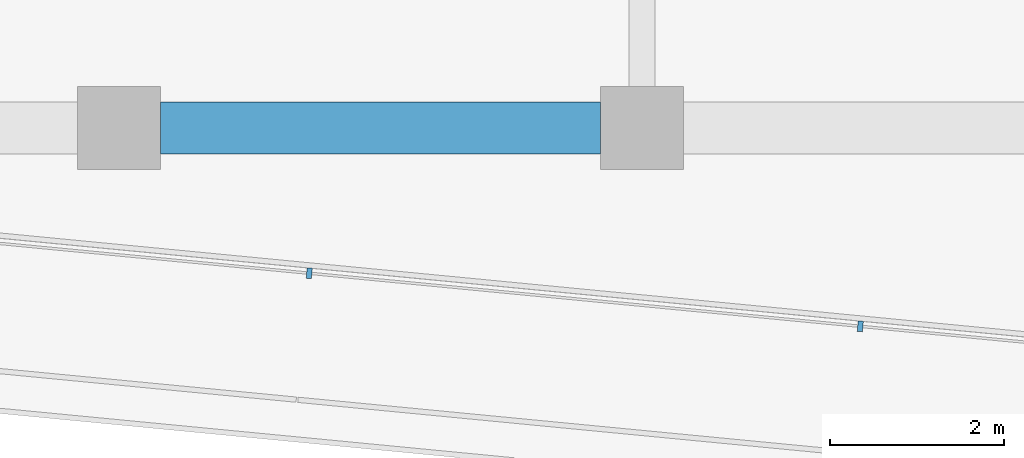
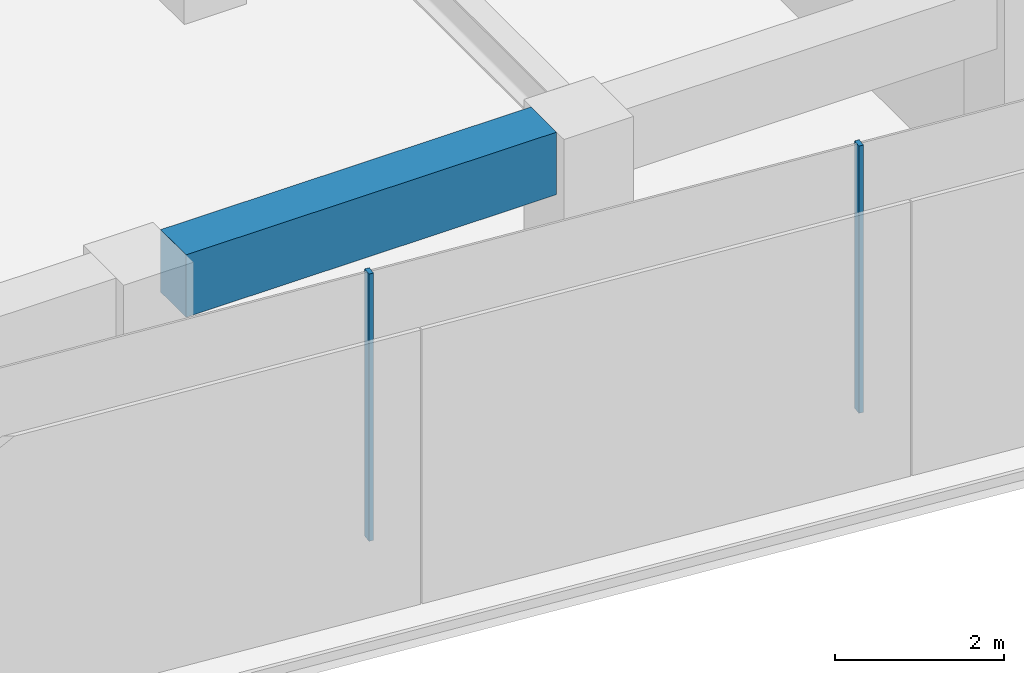
# One storey, part 6 of 31: 2 members, 1 beam, 1 element without a shape of its own.
"""IFC4 building model written with IfcOpenShell, lengths in metres."""

from ifc_helpers import new_model, si_unit, direction, frame, origin, origin_2d, place, context, subcontext, project, spatial, rectangle, extrude, material, layer, layer_set, material_profile, profile_set, type_object, element, aggregate, save


model = new_model("IFC4")

# Units and contexts
model_context = context("Model", 3, precision=1e-05, world=origin(), true_north=direction((0.0, 1.0)))
body_context = subcontext(model_context, "Body", "Model", "MODEL_VIEW")
ifc_project = project(units=[si_unit("LENGTHUNIT", "METRE"), si_unit("AREAUNIT", "SQUARE_METRE"), si_unit("VOLUMEUNIT", "CUBIC_METRE"), si_unit("PLANEANGLEUNIT", "RADIAN"), si_unit("MASSUNIT", "GRAM", prefix="KILO")], contexts=[model_context])

# Site, building, storey
site_placement = place(None, origin())
site = spatial("IfcSite", under=ifc_project, at=site_placement, CompositionType="ELEMENT")
building_placement = place(site_placement, origin())
building = spatial("IfcBuilding", under=site, at=building_placement, Name="Welwitschia Terrace Campus", CompositionType="ELEMENT")
storey_placement = place(building_placement, frame((0.0, 0.0, 29.0)))
storey = spatial("IfcBuildingStorey", under=building, at=storey_placement, Name="L06", CompositionType="ELEMENT", Elevation=29.0)

# Curtain wall, members
ifc_material_1 = material(Name="Bronze anodised aluminium", Category="aluminium")
ifc_layer = layer(ifc_material_1, 0.1201171875)
ifc_layer_set = layer_set([ifc_layer], Name="Bronze anodised aluminium")
curtain_wall_type = type_object("IfcCurtainWallType", Name="Curtain wall CW2 tower 6000", PredefinedType="NOTDEFINED", material=ifc_layer_set)
curtain_wall_placement = place(storey_placement, origin())
curtain_wall = element("IfcCurtainWall", 1, at=curtain_wall_placement, inside=storey, type_object=curtain_wall_type, Name="CW L06.4.0", PredefinedType="NOTDEFINED")
ifc_material_2 = material(Name="Bronze anodised aluminium", Category="aluminium")
ifc_material_profile_1 = material_profile(ifc_material_2, rectangle(XDim=0.1201171875, YDim=0.06005859375, at=origin_2d()))
ifc_profile_set_1 = profile_set([ifc_material_profile_1], Name="Bronze anodised aluminium")
member_type = type_object("IfcMemberType", Name="Mullion 60x120", PredefinedType="MULLION", material=ifc_profile_set_1)
member_1_placement = place(storey_placement, frame((32.181884765625, -5.666748046875, 0.0), z_axis=(0.0, 0.0, 1.0), x_axis=(0.09584575252, 0.995396198367, 0.0)))
member_1 = element("IfcMember", 2, at=member_1_placement, type_object=member_type, Name="Mullion L06.4.0.1", PredefinedType="MULLION", context=body_context, shape_type="SweptSolid", body=[
    extrude(rectangle(XDim=0.1201171875, YDim=0.06005859375, at=origin_2d()), origin(), (0.0, 0.0, 1.0), 3.85009765625),
])
member_2_placement = place(storey_placement, frame((38.504638671875, -6.275634765625, 0.0), z_axis=(0.0, 0.0, 1.0), x_axis=(0.09584575252, 0.995396198367, 0.0)))
member_2 = element("IfcMember", 3, at=member_2_placement, type_object=member_type, Name="Mullion L06.4.0.2", PredefinedType="MULLION", context=body_context, shape_type="SweptSolid", body=[
    extrude(rectangle(XDim=0.1201171875, YDim=0.06005859375, at=origin_2d()), origin(), (0.0, 0.0, 1.0), 3.85009765625),
])
aggregate(curtain_wall, [member_1, member_2])

# Beam
ifc_material_3 = material(Name="Concrete C60/75", Category="concrete")
ifc_material_profile_2 = material_profile(ifc_material_3, rectangle(XDim=0.60009765625, YDim=0.89990234375, at=origin_2d()))
ifc_profile_set_2 = profile_set([ifc_material_profile_2], Name="Concrete C60/75")
beam_type = type_object("IfcBeamType", Name="Ring spandrel 600x900", PredefinedType="SPANDREL", material=ifc_profile_set_2)
beam_placement = place(storey_placement, frame((30.4755859375, -4.0, 3.39990234375), z_axis=(1.0, 0.0, 0.0), x_axis=(0.0, 1.0, 0.0)))
element("IfcBeam", 4, at=beam_placement, inside=storey, type_object=beam_type, Name="Spandrel SP2", PredefinedType="SPANDREL", context=body_context, shape_type="SweptSolid", body=[
    extrude(rectangle(XDim=0.60009765625, YDim=0.89990234375, at=origin_2d()), origin(), (0.0, 0.0, 1.0), 5.048828125),
])

save(model, "model.ifc")
